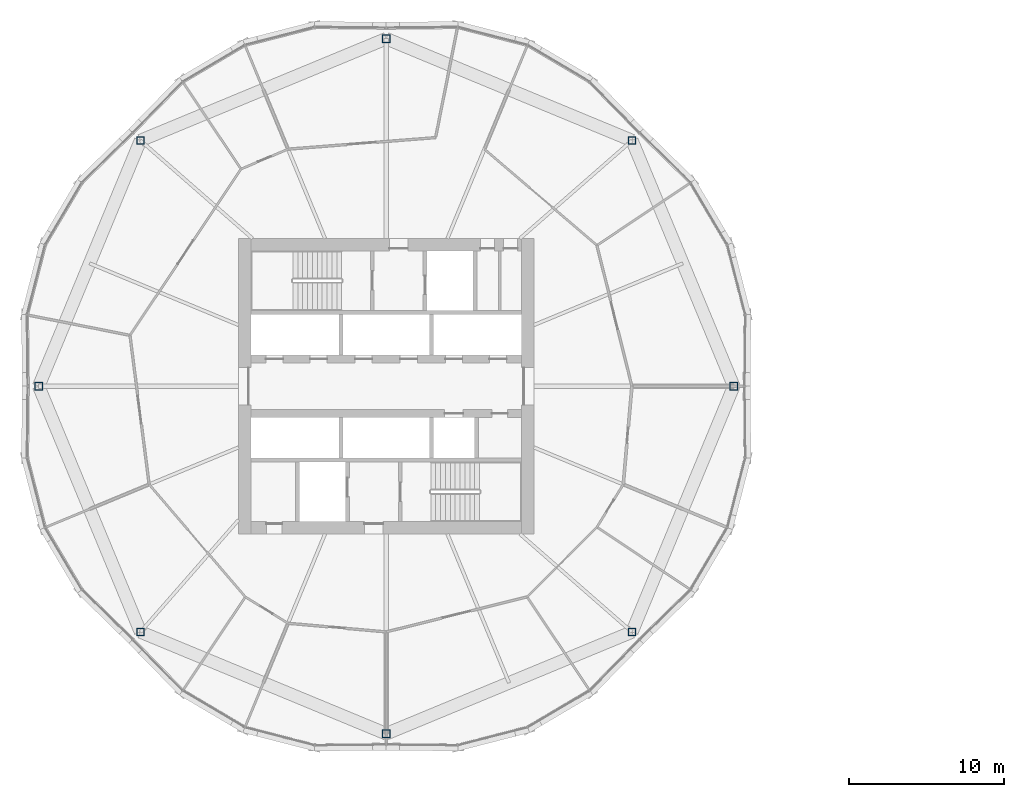
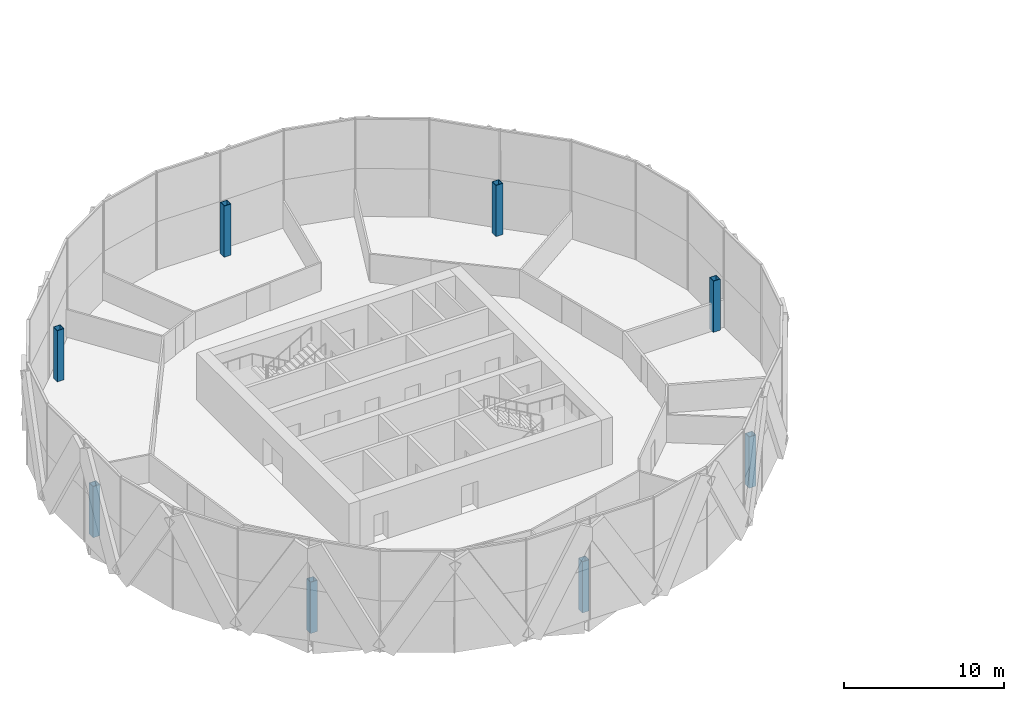
# One storey, part 1 of 27: 8 columns.
"""IFC4 building model written with IfcOpenShell, lengths in metres."""

from ifc_helpers import new_model, si_unit, direction, frame, origin, origin_2d, place, context, subcontext, project, spatial, hollow_rectangle, extrude, material, material_profile, profile_set, type_object, element, save


model = new_model("IFC4")

# Units and contexts
model_context = context("Model", 3, precision=1e-05, world=origin(), true_north=direction((0.0, 1.0)))
body_context = subcontext(model_context, "Body", "Model", "MODEL_VIEW")
ifc_project = project(units=[si_unit("LENGTHUNIT", "METRE"), si_unit("AREAUNIT", "SQUARE_METRE"), si_unit("VOLUMEUNIT", "CUBIC_METRE"), si_unit("PLANEANGLEUNIT", "RADIAN"), si_unit("MASSUNIT", "GRAM", prefix="KILO")], contexts=[model_context])

# Site, building, storey
site_placement = place(None, origin())
site = spatial("IfcSite", under=ifc_project, at=site_placement, CompositionType="ELEMENT")
building_placement = place(site_placement, origin())
building = spatial("IfcBuilding", under=site, at=building_placement, Name="Ogive Gate Towers", CompositionType="ELEMENT")
storey_placement = place(building_placement, frame((0.0, 0.0, 123.0)))
storey = spatial("IfcBuildingStorey", under=building, at=storey_placement, Name="L29", CompositionType="ELEMENT", Elevation=123.0)

# Columns
ifc_material = material(Name="Steel SM460", Category="steel")
ifc_material_profile = material_profile(ifc_material, hollow_rectangle(XDim=0.5, YDim=0.5, WallThickness=0.030029296875, at=origin_2d()), Name="BX 500x500x30")
ifc_profile_set = profile_set([ifc_material_profile], Name="Steel SM460")
column_type = type_object("IfcColumnType", Name="Perimeter post BX 500x500x30", PredefinedType="COLUMN", material=ifc_profile_set)
for number, where, z_axis, x_axis, name in (
    (1, (-13.64990234375, 0.0, 0.0), (0.0, 0.0, 1.0), (1.0, 0.0, 0.0), "T1/L29/SCL001"),
    (2, (-20.196044921875, 15.803955078125, 0.0), (0.0, 0.0, 1.0), (1.0, 0.0, 0.0), "T1/L29/SCL002"),
    (3, (-36.0, 22.35009765625, 0.0), (0.0, 0.0, 1.0), (1.0, 0.0, 0.0), "T1/L29/SCL003"),
    (4, (-51.803955078125, 15.803955078125, 0.0), (0.0, 0.0, 1.0), (1.0, 0.0, 0.0), "T1/L29/SCL004"),
    (5, (-58.35009765625, 0.0, 0.0), (0.0, 0.0, 1.0), (1.0, 0.0, 0.0), "T1/L29/SCL005"),
    (6, (-51.803955078125, -15.803955078125, 0.0), (0.0, 0.0, 1.0), (1.0, 0.0, 0.0), "T1/L29/SCL006"),
    (7, (-36.0, -22.35009765625, 0.0), (0.0, 0.0, 1.0), (1.0, 0.0, 0.0), "T1/L29/SCL007"),
    (8, (-20.196044921875, -15.803955078125, 0.0), (0.0, 0.0, 1.0), (1.0, 0.0, 0.0), "T1/L29/SCL008"),
):
    element("IfcColumn", number, at=place(storey_placement, frame(where, z_axis=z_axis, x_axis=x_axis)), inside=storey, type_object=column_type, Name=name, PredefinedType="COLUMN", context=body_context, shape_type="SweptSolid", body=[
        extrude(hollow_rectangle(XDim=0.5, YDim=0.5, WallThickness=0.030029296875, at=origin_2d()), origin(), (0.0, 0.0, 1.0), 3.89990234375),
    ])

save(model, "model.ifc")
